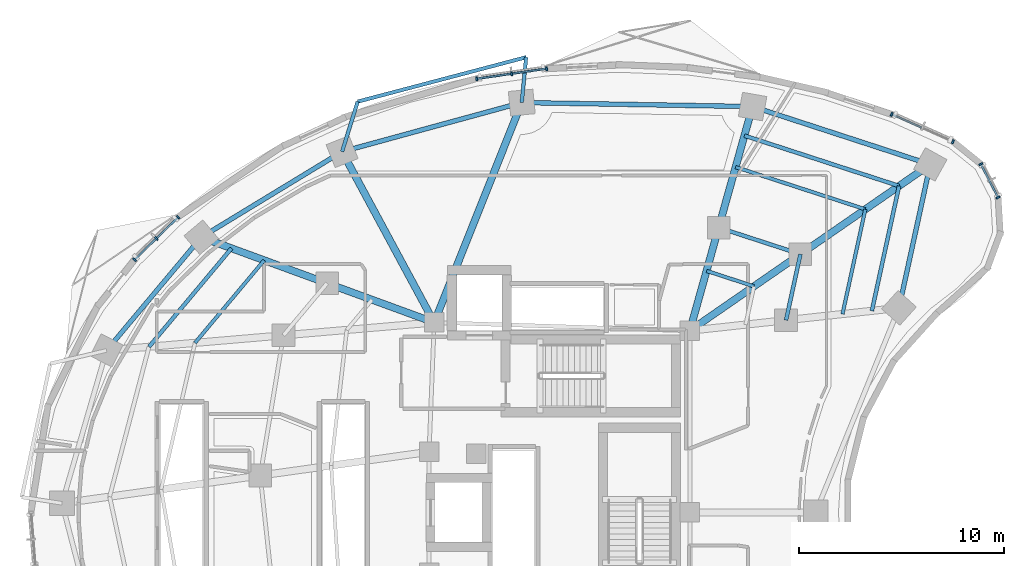
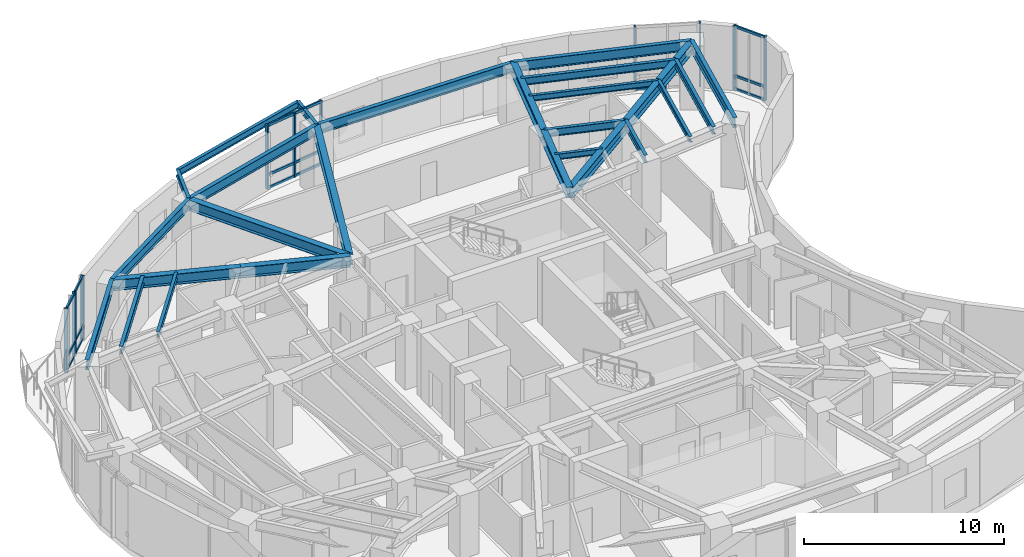
# One storey, part 5 of 15: 26 beams, 26 members, 4 elements without a shape of their own.
"""IFC4 building model written with IfcOpenShell, lengths in metres."""

import ifcopenshell
import ifcopenshell.guid

model = None  # the IFC model being written
_history = None  # IfcOwnerHistory: only IFC2X3 demands one
_inside = {}  # id of a spatial element -> (the spatial element, [elements in it])
_under = {}  # id of a project, library or spatial element -> (it, [spatial elements below it])
_declared = {}  # id of a project -> (the project, [libraries it declares])
_typed = {}  # id of a type object -> (the type object, [elements of that type])
_made_of = {}  # id of a material, layer set ... -> (it, [elements and type objects made of it])


def new_model(schema):
    """Start an empty IFC model of exactly this schema.

    Asked for "IFC4X3", IfcOpenShell would pick the latest addendum, in which some entities
    have other attributes; the version numbers below select the first issue.
    IFC2X3 requires an IfcOwnerHistory on every rooted entity: one is made here for all.
    """
    global model, _history
    if schema == "IFC4X3":
        model = ifcopenshell.file(schema_version=(4, 3, 0, 0))
    else:
        model = ifcopenshell.file(schema=schema)
    _inside.clear()
    _under.clear()
    _declared.clear()
    _typed.clear()
    _made_of.clear()
    _history = None
    if model.schema == "IFC2X3":
        org = make("IfcOrganization", Name="unknown")
        user = make(
            "IfcPersonAndOrganization",
            ThePerson=make("IfcPerson", FamilyName="unknown"),
            TheOrganization=org,
        )
        app = make(
            "IfcApplication",
            ApplicationDeveloper=org,
            Version="unknown",
            ApplicationFullName="unknown",
            ApplicationIdentifier="unknown",
        )
        _history = make(
            "IfcOwnerHistory",
            OwningUser=user,
            OwningApplication=app,
            ChangeAction="ADDED",
            CreationDate=0,
        )
    return model


def make(cls, **values):
    """One entity of the class cls with the attributes given. An attribute that is None is left unset."""
    return model.create_entity(
        cls, **{name: value for name, value in values.items() if value is not None}
    )


def rooted(cls, **values):
    """An entity with a GlobalId (a new one), such as an element, a storey or a relation."""
    return make(cls, GlobalId=ifcopenshell.guid.new(), OwnerHistory=_history, **values)


def si_unit(unit_type, name, prefix=None):
    """IfcSIUnit, for example si_unit("LENGTHUNIT", "METRE", prefix="MILLI")."""
    return make("IfcSIUnit", UnitType=unit_type, Prefix=prefix, Name=name)


def assignment(units):
    """IfcUnitAssignment: the units of a project."""
    return None if units is None else make("IfcUnitAssignment", Units=units)


def point(xyz):
    """IfcCartesianPoint."""
    return None if xyz is None else make("IfcCartesianPoint", Coordinates=xyz)


def direction(xyz):
    """IfcDirection."""
    return None if xyz is None else make("IfcDirection", DirectionRatios=xyz)


def frame(location, z_axis=None, x_axis=None):
    """IfcAxis2Placement3D, a coordinate frame: its origin and axes. An axis left out is left unset."""
    return make(
        "IfcAxis2Placement3D",
        Location=point(location),
        Axis=direction(z_axis),
        RefDirection=direction(x_axis),
    )


def frame_2d(location, x_axis=None):
    """IfcAxis2Placement2D, a coordinate frame in the plane: its origin and x axis."""
    return make(
        "IfcAxis2Placement2D", Location=point(location), RefDirection=direction(x_axis)
    )


def origin():
    """The frame at (0, 0, 0) with its axes left unset."""
    return frame((0.0, 0.0, 0.0))


def origin_2d():
    """The frame at (0, 0) in the plane with its x axis left unset."""
    return frame_2d((0.0, 0.0))


def place(relative_to, where):
    """IfcLocalPlacement: puts the frame where relative to a parent placement (None: the world)."""
    return make(
        "IfcLocalPlacement", PlacementRelTo=relative_to, RelativePlacement=where
    )


def context(
    kind, dimensions, precision=None, world=None, true_north=None, identifier=None
):
    """IfcGeometricRepresentationContext, for example the 3D "Model" context."""
    return make(
        "IfcGeometricRepresentationContext",
        ContextIdentifier=identifier,
        ContextType=kind,
        CoordinateSpaceDimension=dimensions,
        Precision=precision,
        WorldCoordinateSystem=world,
        TrueNorth=true_north,
    )


def subcontext(parent, identifier, kind, view, scale=None):
    """IfcGeometricRepresentationSubContext, for example "Body" below "Model"."""
    return make(
        "IfcGeometricRepresentationSubContext",
        ContextIdentifier=identifier,
        ContextType=kind,
        ParentContext=parent,
        TargetScale=scale,
        TargetView=view,
    )


def project(units=None, contexts=None):
    """IfcProject with its units and contexts."""
    return rooted(
        "IfcProject",
        Name="project",
        RepresentationContexts=contexts,
        UnitsInContext=assignment(units),
    )


def spatial(cls, under=None, at=None, **own):
    """A site, building, storey or space (cls), placed at a placement, below another one or the project."""
    s = rooted(cls, ObjectPlacement=at, **own)
    if under is not None:
        _under.setdefault(under.id(), (under, []))[1].append(s)
    return s


def profile(cls, at=None, kind="AREA", **sizes):
    """A parametric profile (cls). Its sizes go by their IFC names, for example OverallWidth=200.0."""
    return make(cls, ProfileType=kind, Position=at, **sizes)


def rectangle(**sizes):
    """IfcRectangleProfileDef."""
    return profile("IfcRectangleProfileDef", **sizes)


def i_section(**sizes):
    """IfcIShapeProfileDef."""
    return profile("IfcIShapeProfileDef", **sizes)


def extrude(swept, where, along, depth):
    """IfcExtrudedAreaSolid: the profile swept, set in the frame where, extruded along a direction by depth."""
    return make(
        "IfcExtrudedAreaSolid",
        SweptArea=swept,
        Position=where,
        ExtrudedDirection=direction(along),
        Depth=depth,
    )


def shape(context_of_items, identifier, shape_type, items):
    """IfcShapeRepresentation: the items that make up one representation, for example the "Body"."""
    return make(
        "IfcShapeRepresentation",
        ContextOfItems=context_of_items,
        RepresentationIdentifier=identifier,
        RepresentationType=shape_type,
        Items=items,
    )


def material(Name=None, Category=None):
    """IfcMaterial."""
    return make("IfcMaterial", Name=Name, Category=Category)


def layer(
    of_material, thickness, ventilated=None, Name=None, Category=None, Priority=None
):
    """IfcMaterialLayer: one layer of a wall or slab, of a material (None: an air gap)."""
    return make(
        "IfcMaterialLayer",
        Material=of_material,
        LayerThickness=thickness,
        IsVentilated=ventilated,
        Name=Name,
        Category=Category,
        Priority=Priority,
    )


def layer_set(layers, Name=None):
    """IfcMaterialLayerSet."""
    return make("IfcMaterialLayerSet", MaterialLayers=layers, LayerSetName=Name)


def material_profile(
    of_material, cross_section, Name=None, Category=None, Priority=None
):
    """IfcMaterialProfile: a cross section and its material."""
    return make(
        "IfcMaterialProfile",
        Name=Name,
        Material=of_material,
        Profile=cross_section,
        Priority=Priority,
        Category=Category,
    )


def profile_set(profiles, Name=None, composite=None):
    """IfcMaterialProfileSet."""
    return make(
        "IfcMaterialProfileSet",
        Name=Name,
        MaterialProfiles=profiles,
        CompositeProfile=composite,
    )


def made_of(thing, what):
    """Note that an element or type object is made of a material, layer set ...; save() writes the relation."""
    if what is not None:
        _made_of.setdefault(what.id(), (what, []))[1].append(thing)
    return thing


def type_object(cls, material=None, **own):
    """A type object (cls), such as IfcWallType, which elements share."""
    return made_of(rooted(cls, **own), material)


def element(
    cls,
    number,
    at=None,
    inside=None,
    cuts=None,
    type_object=None,
    material=None,
    context=None,
    identifier="Body",
    shape_type=None,
    held_by="IfcProductDefinitionShape",
    body=None,
    shapes=None,
    **own,
):
    """One element of the class cls, such as IfcWall. Its Tag is "e" and its number.

    at: its placement. inside: the storey or other place that contains it. cuts: it is an
    opening in that element (IfcRelVoidsElement). A single representation is given by context,
    identifier, shape_type and body (its items); several are given by shapes. held_by: the class
    of the entity that holds the representations. save() writes the other relations.
    """
    e = rooted(cls, Tag="e%d" % number, ObjectPlacement=at, **own)
    if body is not None:
        shapes = [shape(context, identifier, shape_type, body)]
    if shapes is not None:
        e.Representation = make(held_by, Representations=shapes)
    if inside is not None:
        _inside.setdefault(inside.id(), (inside, []))[1].append(e)
    if cuts is not None:
        rooted(
            "IfcRelVoidsElement", RelatingBuildingElement=cuts, RelatedOpeningElement=e
        )
    if type_object is not None:
        _typed.setdefault(type_object.id(), (type_object, []))[1].append(e)
    return made_of(e, material)


def aggregate(whole, parts):
    """IfcRelAggregates: a whole, such as a stair, and the parts it consists of."""
    return rooted("IfcRelAggregates", RelatingObject=whole, RelatedObjects=parts)


def save(model, path):
    """Write the relations noted so far, then the file.

    IfcRelAggregates (storeys below a building ...), IfcRelContainedInSpatialStructure (elements
    in a storey), IfcRelDefinesByType, IfcRelAssociatesMaterial and IfcRelDeclares: one each for
    every whole, place, type object, material and project.
    """
    for whole, parts in _under.values():
        aggregate(whole, parts)
    for where, things in _inside.values():
        rooted(
            "IfcRelContainedInSpatialStructure",
            RelatedElements=things,
            RelatingStructure=where,
        )
    for kind, things in _typed.values():
        rooted("IfcRelDefinesByType", RelatedObjects=things, RelatingType=kind)
    for what, things in _made_of.values():
        rooted("IfcRelAssociatesMaterial", RelatedObjects=things, RelatingMaterial=what)
    for by, libraries in _declared.values():
        rooted("IfcRelDeclares", RelatingContext=by, RelatedDefinitions=libraries)
    model.write(path)


model = new_model("IFC4")

# Units and contexts
model_context = context("Model", 3, precision=1e-05, world=origin(), true_north=direction((0.0, 1.0)))
body_context = subcontext(model_context, "Body", "Model", "MODEL_VIEW")
ifc_project = project(units=[si_unit("LENGTHUNIT", "METRE"), si_unit("AREAUNIT", "SQUARE_METRE"), si_unit("VOLUMEUNIT", "CUBIC_METRE"), si_unit("PLANEANGLEUNIT", "RADIAN"), si_unit("MASSUNIT", "GRAM", prefix="KILO")], contexts=[model_context])

# Site, building, storey
site_placement = place(None, origin())
site = spatial("IfcSite", under=ifc_project, at=site_placement, CompositionType="ELEMENT")
building_placement = place(site_placement, origin())
building = spatial("IfcBuilding", under=site, at=building_placement, Name="Korentha Bioscience Tower", CompositionType="ELEMENT")
storey_placement = place(building_placement, frame((0.0, 0.0, 115.199951171875)))
storey = spatial("IfcBuildingStorey", under=building, at=storey_placement, Name="L26", CompositionType="ELEMENT", Elevation=115.199951171875)

# Beams
ifc_material_1 = material(Name="Steel S355", Category="steel")
ifc_material_profile_1 = material_profile(ifc_material_1, i_section(OverallWidth=0.18994140625, OverallDepth=0.45703125, WebThickness=0.009033203125, FlangeThickness=0.014404296875, at=origin_2d()), Name="Steel S355")
ifc_profile_set_1 = profile_set([ifc_material_profile_1], Name="Steel S355 (MB-460)")
beam_type_1 = type_object("IfcBeamType", Name="Mid-Ring Tie Girder W460x74", PredefinedType="BEAM", material=ifc_profile_set_1)
beam_1_placement = place(storey_placement, frame((42.93603515625, 39.57470703125, 3.671630859375), z_axis=(-0.95087582253, 0.309572560361, 0.0), x_axis=(-0.309572560361, -0.95087582253, 0.0)))
element("IfcBeam", 1, at=beam_1_placement, inside=storey, type_object=beam_type_1, Name="L26 Mid-Ring Tie Girder 01", PredefinedType="BEAM", context=body_context, shape_type="SweptSolid", body=[
    extrude(i_section(OverallWidth=0.18994140625, OverallDepth=0.45703125, WebThickness=0.009033203125, FlangeThickness=0.014404296875, at=origin_2d()), origin(), (0.0, 0.0, 1.0), 4.186767578125),
])
beam_2_placement = place(storey_placement, frame((42.235595703125, 36.360595703125, 3.671630859375), z_axis=(0.212928773299, 0.977067724112, 0.0), x_axis=(-0.977067724112, 0.212928773299, 0.0)))
element("IfcBeam", 2, at=beam_2_placement, inside=storey, type_object=beam_type_1, Name="L26 Mid-Ring Tie Girder 16", PredefinedType="BEAM", context=body_context, shape_type="SweptSolid", body=[
    extrude(i_section(OverallWidth=0.18994140625, OverallDepth=0.45703125, WebThickness=0.009033203125, FlangeThickness=0.014404296875, at=origin_2d()), origin(), (0.0, 0.0, 1.0), 3.28955078125),
])

# Curtain wall, members
ifc_material_2 = material(Name="Thermally Broken Aluminium Frame", Category="aluminium")
ifc_layer = layer(ifc_material_2, 0.219970703125, Name="Thermally Broken Aluminium Frame")
ifc_layer_set = layer_set([ifc_layer], Name="Thermally Broken Aluminium Frame (CW-T2)")
curtain_wall_type = type_object("IfcCurtainWallType", Name="Solar-Screened Lab Unitised Curtain Wall CW-T2", PredefinedType="USERDEFINED", material=ifc_layer_set)
curtain_wall_1_placement = place(storey_placement, origin())
curtain_wall_1 = element("IfcCurtainWall", 3, at=curtain_wall_1_placement, inside=storey, type_object=curtain_wall_type, Name="L26 Curtain Wall 01", ObjectType="UNITISED", PredefinedType="USERDEFINED")
ifc_material_3 = material(Name="Anodised Aluminium 6063-T6", Category="aluminium")
ifc_material_profile_2 = material_profile(ifc_material_3, rectangle(XDim=0.090087890625, YDim=0.199951171875, at=origin_2d()), Name="Anodised Aluminium 6063-T6")
ifc_profile_set_2 = profile_set([ifc_material_profile_2], Name="Anodised Aluminium 6063-T6 (CW-MUL)")
member_type_1 = type_object("IfcMemberType", Name="Mullion RECT 90x200", PredefinedType="MULLION", material=ifc_profile_set_2)
member_1_placement = place(storey_placement, frame((50.364013671875, 45.0517578125, 0.0), z_axis=(0.0, 0.0, 1.0), x_axis=(-0.912686563127, 0.408660295952, 0.0)))
member_1 = element("IfcMember", 4, at=member_1_placement, type_object=member_type_1, Name="CW-L26-01 Mullion 1", PredefinedType="MULLION", context=body_context, shape_type="SweptSolid", body=[
    extrude(rectangle(XDim=0.090087890625, YDim=0.199951171875, at=origin_2d()), origin(), (0.0, 0.0, 1.0), 3.900146484375),
])
member_2_placement = place(storey_placement, frame((47.37890625, 46.388427734375, 0.0), z_axis=(0.0, 0.0, 1.0), x_axis=(-0.912686563127, 0.408660295952, 0.0)))
member_2 = element("IfcMember", 5, at=member_2_placement, type_object=member_type_1, Name="CW-L26-01 Mullion 3", PredefinedType="MULLION", context=body_context, shape_type="SweptSolid", body=[
    extrude(rectangle(XDim=0.090087890625, YDim=0.199951171875, at=origin_2d()), origin(), (0.0, 0.0, 1.0), 3.900146484375),
])

curtain_wall_2_placement = place(storey_placement, origin())
curtain_wall_2 = element("IfcCurtainWall", 6, at=curtain_wall_2_placement, inside=storey, type_object=curtain_wall_type, Name="L26 Curtain Wall 07", ObjectType="UNITISED", PredefinedType="USERDEFINED")
member_3_placement = place(storey_placement, frame((30.576416015625, 48.609375, 0.0), z_axis=(0.0, 0.0, 1.0), x_axis=(-0.989738282326, -0.14289203091, 0.0)))
member_3 = element("IfcMember", 7, at=member_3_placement, type_object=member_type_1, Name="CW-L26-07 Mullion 1", PredefinedType="MULLION", context=body_context, shape_type="SweptSolid", body=[
    extrude(rectangle(XDim=0.090087890625, YDim=0.199951171875, at=origin_2d()), origin(), (0.0, 0.0, 1.0), 3.900146484375),
])
member_4_placement = place(storey_placement, frame((28.873291015625, 48.363525390625, 0.0), z_axis=(0.0, 0.0, 1.0), x_axis=(-0.989738282326, -0.14289203091, 0.0)))
member_4 = element("IfcMember", 8, at=member_4_placement, type_object=member_type_1, Name="CW-L26-07 Mullion 2", PredefinedType="MULLION", context=body_context, shape_type="SweptSolid", body=[
    extrude(rectangle(XDim=0.090087890625, YDim=0.199951171875, at=origin_2d()), origin(), (0.0, 0.0, 1.0), 3.900146484375),
])
member_5_placement = place(storey_placement, frame((27.170166015625, 48.11767578125, 0.0), z_axis=(0.0, 0.0, 1.0), x_axis=(-0.989738282326, -0.14289203091, 0.0)))
member_5 = element("IfcMember", 9, at=member_5_placement, type_object=member_type_1, Name="CW-L26-07 Mullion 3", PredefinedType="MULLION", context=body_context, shape_type="SweptSolid", body=[
    extrude(rectangle(XDim=0.090087890625, YDim=0.199951171875, at=origin_2d()), origin(), (0.0, 0.0, 1.0), 3.900146484375),
])

curtain_wall_3_placement = place(storey_placement, origin())
curtain_wall_3 = element("IfcCurtainWall", 10, at=curtain_wall_3_placement, inside=storey, type_object=curtain_wall_type, Name="L26 Curtain Wall 13", ObjectType="UNITISED", PredefinedType="USERDEFINED")
member_6_placement = place(storey_placement, frame((12.631103515625, 41.377197265625, 0.0), z_axis=(0.0, 0.0, 1.0), x_axis=(-0.716095631804, -0.698002182025, 0.0)))
member_6 = element("IfcMember", 11, at=member_6_placement, type_object=member_type_1, Name="CW-L26-13 Mullion 1", PredefinedType="MULLION", context=body_context, shape_type="SweptSolid", body=[
    extrude(rectangle(XDim=0.090087890625, YDim=0.199951171875, at=origin_2d()), origin(), (0.0, 0.0, 1.0), 3.900146484375),
])
member_7_placement = place(storey_placement, frame((11.56689453125, 40.340087890625, 0.0), z_axis=(0.0, 0.0, 1.0), x_axis=(-0.716095631804, -0.698002182025, 0.0)))
member_7 = element("IfcMember", 12, at=member_7_placement, type_object=member_type_1, Name="CW-L26-13 Mullion 2", PredefinedType="MULLION", context=body_context, shape_type="SweptSolid", body=[
    extrude(rectangle(XDim=0.090087890625, YDim=0.199951171875, at=origin_2d()), origin(), (0.0, 0.0, 1.0), 3.900146484375),
])
member_8_placement = place(storey_placement, frame((10.5029296875, 39.302734375, 0.0), z_axis=(0.0, 0.0, 1.0), x_axis=(-0.716095631804, -0.698002182025, 0.0)))
member_8 = element("IfcMember", 13, at=member_8_placement, type_object=member_type_1, Name="CW-L26-13 Mullion 3", PredefinedType="MULLION", context=body_context, shape_type="SweptSolid", body=[
    extrude(rectangle(XDim=0.090087890625, YDim=0.199951171875, at=origin_2d()), origin(), (0.0, 0.0, 1.0), 3.900146484375),
])

curtain_wall_4_placement = place(storey_placement, origin())
curtain_wall_4 = element("IfcCurtainWall", 14, at=curtain_wall_4_placement, inside=storey, type_object=curtain_wall_type, Name="L26 Curtain Wall 61", ObjectType="UNITISED", PredefinedType="USERDEFINED")
member_9_placement = place(storey_placement, frame((52.55859375, 42.337158203125, 0.0), z_axis=(0.0, 0.0, 1.0), x_axis=(-0.457613117169, 0.889151412862, 0.0)))
member_9 = element("IfcMember", 15, at=member_9_placement, type_object=member_type_1, Name="CW-L26-61 Mullion 1", PredefinedType="MULLION", context=body_context, shape_type="SweptSolid", body=[
    extrude(rectangle(XDim=0.090087890625, YDim=0.199951171875, at=origin_2d()), origin(), (0.0, 0.0, 1.0), 3.900146484375),
])
member_10_placement = place(storey_placement, frame((51.722412109375, 43.962158203125, 0.0), z_axis=(0.0, 0.0, 1.0), x_axis=(-0.457613117169, 0.889151412862, 0.0)))
member_10 = element("IfcMember", 16, at=member_10_placement, type_object=member_type_1, Name="CW-L26-61 Mullion 2", PredefinedType="MULLION", context=body_context, shape_type="SweptSolid", body=[
    extrude(rectangle(XDim=0.090087890625, YDim=0.199951171875, at=origin_2d()), origin(), (0.0, 0.0, 1.0), 3.900146484375),
])

# Beams
ifc_material_profile_3 = material_profile(ifc_material_1, i_section(OverallWidth=0.22802734375, OverallDepth=0.60791015625, WebThickness=0.01123046875, FlangeThickness=0.017333984375, at=origin_2d()), Name="Steel S355")
ifc_profile_set_3 = profile_set([ifc_material_profile_3], Name="Steel S355 (SB-610)")
beam_type_2 = type_object("IfcBeamType", Name="Perimeter Ring Spandrel Girder W610x113", PredefinedType="SPANDREL", material=ifc_profile_set_3)
beam_3_placement = place(storey_placement, frame((49.2587890625, 43.947021484375, 3.595947265625), z_axis=(-0.950867758759, 0.309597327755, 0.0), x_axis=(-0.309597327755, -0.950867758759, 0.0)))
element("IfcBeam", 17, at=beam_3_placement, inside=storey, type_object=beam_type_2, Name="L26 Perimeter Spandrel Girder 01", PredefinedType="SPANDREL", context=body_context, shape_type="SweptSolid", body=[
    extrude(i_section(OverallWidth=0.22802734375, OverallDepth=0.60791015625, WebThickness=0.01123046875, FlangeThickness=0.017333984375, at=origin_2d()), origin(), (0.0, 0.0, 1.0), 9.101806640625),
])
beam_4_placement = place(storey_placement, frame((40.604248046875, 46.764892578125, 3.595947265625), z_axis=(-0.999850566826, 0.017287105523, 0.0), x_axis=(-0.017287105523, -0.999850566826, 0.0)))
element("IfcBeam", 18, at=beam_4_placement, inside=storey, type_object=beam_type_2, Name="L26 Perimeter Spandrel Girder 02", PredefinedType="SPANDREL", context=body_context, shape_type="SweptSolid", body=[
    extrude(i_section(OverallWidth=0.22802734375, OverallDepth=0.60791015625, WebThickness=0.01123046875, FlangeThickness=0.017333984375, at=origin_2d()), origin(), (0.0, 0.0, 1.0), 11.24169921875),
])
beam_5_placement = place(storey_placement, frame((29.3642578125, 46.959228515625, 3.595947265625), z_axis=(-0.964659386444, -0.263500034431, 0.0), x_axis=(0.263500034431, -0.964659386444, 0.0)))
element("IfcBeam", 19, at=beam_5_placement, inside=storey, type_object=beam_type_2, Name="L26 Perimeter Spandrel Girder 03", PredefinedType="SPANDREL", context=body_context, shape_type="SweptSolid", body=[
    extrude(i_section(OverallWidth=0.22802734375, OverallDepth=0.60791015625, WebThickness=0.01123046875, FlangeThickness=0.017333984375, at=origin_2d()), origin(), (0.0, 0.0, 1.0), 9.06982421875),
])
beam_6_placement = place(storey_placement, frame((20.614990234375, 44.5693359375, 3.595947265625), z_axis=(-0.854461040474, -0.51951547649, 0.0), x_axis=(0.51951547649, -0.854461040474, 0.0)))
element("IfcBeam", 20, at=beam_6_placement, inside=storey, type_object=beam_type_2, Name="L26 Perimeter Spandrel Girder 04", PredefinedType="SPANDREL", context=body_context, shape_type="SweptSolid", body=[
    extrude(i_section(OverallWidth=0.22802734375, OverallDepth=0.60791015625, WebThickness=0.01123046875, FlangeThickness=0.017333984375, at=origin_2d()), origin(), (0.0, 0.0, 1.0), 8.025146484375),
])
beam_7_placement = place(storey_placement, frame((13.7578125, 40.400146484375, 3.595947265625), z_axis=(-0.642126556076, -0.76659864726, 0.0), x_axis=(0.76659864726, -0.642126556076, 0.0)))
element("IfcBeam", 21, at=beam_7_placement, inside=storey, type_object=beam_type_2, Name="L26 Perimeter Spandrel Girder 05", PredefinedType="SPANDREL", context=body_context, shape_type="SweptSolid", body=[
    extrude(i_section(OverallWidth=0.22802734375, OverallDepth=0.60791015625, WebThickness=0.01123046875, FlangeThickness=0.017333984375, at=origin_2d()), origin(), (0.0, 0.0, 1.0), 7.1884765625),
])
beam_8_placement = place(storey_placement, frame((47.736083984375, 36.959716796875, 3.595947265625), z_axis=(0.212927102256, 0.977068088275, 0.0), x_axis=(-0.977068088275, 0.212927102256, 0.0)))
element("IfcBeam", 22, at=beam_8_placement, inside=storey, type_object=beam_type_2, Name="L26 Perimeter Spandrel Girder 16", PredefinedType="SPANDREL", context=body_context, shape_type="SweptSolid", body=[
    extrude(i_section(OverallWidth=0.22802734375, OverallDepth=0.60791015625, WebThickness=0.01123046875, FlangeThickness=0.017333984375, at=origin_2d()), origin(), (0.0, 0.0, 1.0), 7.1513671875),
])
ifc_material_profile_4 = material_profile(ifc_material_1, i_section(OverallWidth=0.18994140625, OverallDepth=0.45703125, WebThickness=0.009033203125, FlangeThickness=0.014404296875, at=origin_2d()), Name="Steel S355")
ifc_profile_set_4 = profile_set([ifc_material_profile_4], Name="Steel S355 (RB-460)")
beam_type_3 = type_object("IfcBeamType", Name="Radial Laboratory Beam W460x74", PredefinedType="BEAM", material=ifc_profile_set_4)
beam_9_placement = place(storey_placement, frame((47.7412109375, 42.8974609375, 3.671630859375), z_axis=(-0.950866789802, 0.3096003037, 0.0), x_axis=(-0.3096003037, -0.950866789802, 0.0)))
element("IfcBeam", 23, at=beam_9_placement, inside=storey, type_object=beam_type_3, Name="L26 Secondary Floor Beam JSTO-01", PredefinedType="BEAM", context=body_context, shape_type="SweptSolid", body=[
    extrude(i_section(OverallWidth=0.18994140625, OverallDepth=0.45703125, WebThickness=0.009033203125, FlangeThickness=0.014404296875, at=origin_2d()), origin(), (0.0, 0.0, 1.0), 7.921875),
])
beam_10_placement = place(storey_placement, frame((15.227783203125, 39.8623046875, 3.671630859375), z_axis=(-0.642128156066, -0.766597307057, 0.0), x_axis=(0.766597307057, -0.642128156066, 0.0)))
element("IfcBeam", 24, at=beam_10_placement, inside=storey, type_object=beam_type_3, Name="L26 Secondary Floor Beam JSTO-05", PredefinedType="BEAM", context=body_context, shape_type="SweptSolid", body=[
    extrude(i_section(OverallWidth=0.18994140625, OverallDepth=0.45703125, WebThickness=0.009033203125, FlangeThickness=0.014404296875, at=origin_2d()), origin(), (0.0, 0.0, 1.0), 6.257080078125),
])
beam_11_placement = place(storey_placement, frame((46.416015625, 36.81591796875, 3.671630859375), z_axis=(0.21290837934, 0.977072168269, 0.0), x_axis=(-0.977072168269, 0.21290837934, 0.0)))
element("IfcBeam", 25, at=beam_11_placement, inside=storey, type_object=beam_type_3, Name="L26 Secondary Floor Beam JSTO-16", PredefinedType="BEAM", context=body_context, shape_type="SweptSolid", body=[
    extrude(i_section(OverallWidth=0.18994140625, OverallDepth=0.45703125, WebThickness=0.009033203125, FlangeThickness=0.014404296875, at=origin_2d()), origin(), (0.0, 0.0, 1.0), 6.224365234375),
])
ifc_material_profile_5 = material_profile(ifc_material_1, i_section(OverallWidth=0.35009765625, OverallDepth=0.64990234375, WebThickness=0.01611328125, FlangeThickness=0.02490234375, at=origin_2d()), Name="Steel S355")
ifc_profile_set_5 = profile_set([ifc_material_profile_5], Name="Steel S355 (RB-650)")
beam_type_4 = type_object("IfcBeamType", Name="Radial Laboratory Girder CVS 650x208", PredefinedType="BEAM", material=ifc_profile_set_5)
beam_12_placement = place(storey_placement, frame((37.550048828125, 35.85009765625, 3.574951171875), z_axis=(0.822488699387, 0.568781451333, 0.0), x_axis=(-0.568781451333, 0.822488699387, 0.0)))
element("IfcBeam", 26, at=beam_12_placement, inside=storey, type_object=beam_type_4, Name="L26 Inner Radial Girder 01", PredefinedType="BEAM", context=body_context, shape_type="SweptSolid", body=[
    extrude(i_section(OverallWidth=0.35009765625, OverallDepth=0.64990234375, WebThickness=0.01611328125, FlangeThickness=0.02490234375, at=origin_2d()), origin(), (0.0, 0.0, 1.0), 6.54833984375),
])
beam_13_placement = place(storey_placement, frame((42.93603515625, 39.57470703125, 3.574951171875), z_axis=(0.822495056204, 0.568772258922, 0.0), x_axis=(-0.568772258922, 0.822495056204, 0.0)))
element("IfcBeam", 27, at=beam_13_placement, inside=storey, type_object=beam_type_4, Name="L26 Outer Radial Girder 01", PredefinedType="BEAM", context=body_context, shape_type="SweptSolid", body=[
    extrude(i_section(OverallWidth=0.35009765625, OverallDepth=0.64990234375, WebThickness=0.01611328125, FlangeThickness=0.02490234375, at=origin_2d()), origin(), (0.0, 0.0, 1.0), 7.687255859375),
])
beam_14_placement = place(storey_placement, frame((37.550048828125, 35.85009765625, 3.574951171875), z_axis=(0.269447542125, 0.96301506844, 0.0), x_axis=(-0.96301506844, 0.269447542125, 0.0)))
element("IfcBeam", 28, at=beam_14_placement, inside=storey, type_object=beam_type_4, Name="L26 Inner Radial Girder 02", PredefinedType="BEAM", context=body_context, shape_type="SweptSolid", body=[
    extrude(i_section(OverallWidth=0.35009765625, OverallDepth=0.64990234375, WebThickness=0.01611328125, FlangeThickness=0.02490234375, at=origin_2d()), origin(), (0.0, 0.0, 1.0), 5.213623046875),
])
beam_15_placement = place(storey_placement, frame((38.954833984375, 40.870849609375, 3.574951171875), z_axis=(0.269490843458, 0.963002951861, 0.0), x_axis=(-0.963002951861, 0.269490843458, 0.0)))
element("IfcBeam", 29, at=beam_15_placement, inside=storey, type_object=beam_type_4, Name="L26 Outer Radial Girder 02", PredefinedType="BEAM", context=body_context, shape_type="SweptSolid", body=[
    extrude(i_section(OverallWidth=0.35009765625, OverallDepth=0.64990234375, WebThickness=0.01611328125, FlangeThickness=0.02490234375, at=origin_2d()), origin(), (0.0, 0.0, 1.0), 6.120361328125),
])
beam_16_placement = place(storey_placement, frame((25.10009765625, 36.25, 3.574951171875), z_axis=(0.369929528493, 0.929059817207, 0.0), x_axis=(-0.929059817207, 0.369929528493, 0.0)))
element("IfcBeam", 30, at=beam_16_placement, inside=storey, type_object=beam_type_4, Name="L26 Radial Girder 03", PredefinedType="BEAM", context=body_context, shape_type="SweptSolid", body=[
    extrude(i_section(OverallWidth=0.35009765625, OverallDepth=0.64990234375, WebThickness=0.01611328125, FlangeThickness=0.02490234375, at=origin_2d()), origin(), (0.0, 0.0, 1.0), 11.52685546875),
])
beam_17_placement = place(storey_placement, frame((25.10009765625, 36.25, 3.574951171875), z_axis=(-0.474548018732, 0.880229616587, 0.0), x_axis=(-0.880229616587, -0.474548018732, 0.0)))
element("IfcBeam", 31, at=beam_17_placement, inside=storey, type_object=beam_type_4, Name="L26 Radial Girder 04", PredefinedType="BEAM", context=body_context, shape_type="SweptSolid", body=[
    extrude(i_section(OverallWidth=0.35009765625, OverallDepth=0.64990234375, WebThickness=0.01611328125, FlangeThickness=0.02490234375, at=origin_2d()), origin(), (0.0, 0.0, 1.0), 9.451416015625),
])
beam_18_placement = place(storey_placement, frame((25.10009765625, 36.25, 3.574951171875), z_axis=(-0.939118010396, 0.343594765022, 0.0), x_axis=(-0.343594765022, -0.939118010396, 0.0)))
element("IfcBeam", 32, at=beam_18_placement, inside=storey, type_object=beam_type_4, Name="L26 Inner Radial Girder 05", PredefinedType="BEAM", context=body_context, shape_type="SweptSolid", body=[
    extrude(i_section(OverallWidth=0.35009765625, OverallDepth=0.64990234375, WebThickness=0.01611328125, FlangeThickness=0.02490234375, at=origin_2d()), origin(), (0.0, 0.0, 1.0), 5.5556640625),
])
beam_19_placement = place(storey_placement, frame((19.882568359375, 38.158935546875, 3.574951171875), z_axis=(-0.939100755225, 0.343641923425, 0.0), x_axis=(-0.343641923425, -0.939100755225, 0.0)))
element("IfcBeam", 33, at=beam_19_placement, inside=storey, type_object=beam_type_4, Name="L26 Outer Radial Girder 05", PredefinedType="BEAM", context=body_context, shape_type="SweptSolid", body=[
    extrude(i_section(OverallWidth=0.35009765625, OverallDepth=0.64990234375, WebThickness=0.01611328125, FlangeThickness=0.02490234375, at=origin_2d()), origin(), (0.0, 0.0, 1.0), 6.52197265625),
])
ifc_material_profile_6 = material_profile(ifc_material_1, i_section(OverallWidth=0.1708984375, OverallDepth=0.35498046875, WebThickness=0.007080078125, FlangeThickness=0.01171875, at=origin_2d()), Name="Steel S355")
ifc_profile_set_6 = profile_set([ifc_material_profile_6], Name="Steel S355 (JB-360)")
beam_type_5 = type_object("IfcBeamType", Name="Secondary Laboratory Joist W360x51", PredefinedType="JOIST", material=ifc_profile_set_6)
beam_20_placement = place(storey_placement, frame((46.097412109375, 41.7607421875, 3.72265625), z_axis=(-0.950864890997, 0.309606135387, 0.0), x_axis=(-0.309606135387, -0.950864890997, 0.0)))
element("IfcBeam", 34, at=beam_20_placement, inside=storey, type_object=beam_type_5, Name="L26 Secondary Floor Beam JST-01", PredefinedType="JOIST", context=body_context, shape_type="SweptSolid", body=[
    extrude(i_section(OverallWidth=0.1708984375, OverallDepth=0.35498046875, WebThickness=0.007080078125, FlangeThickness=0.01171875, at=origin_2d()), origin(), (0.0, 0.0, 1.0), 6.644287109375),
])
beam_21_placement = place(storey_placement, frame((40.673828125, 38.01025390625, 3.72265625), z_axis=(-0.950852158547, 0.30964523666, 0.0), x_axis=(-0.30964523666, -0.950852158547, 0.0)))
element("IfcBeam", 35, at=beam_21_placement, inside=storey, type_object=beam_type_5, Name="L26 Inner Bay Joist 01", PredefinedType="JOIST", context=body_context, shape_type="SweptSolid", body=[
    extrude(i_section(OverallWidth=0.1708984375, OverallDepth=0.35498046875, WebThickness=0.007080078125, FlangeThickness=0.01171875, at=origin_2d()), origin(), (0.0, 0.0, 1.0), 2.428466796875),
])
beam_22_placement = place(storey_placement, frame((16.8203125, 39.279541015625, 3.72265625), z_axis=(-0.642140812018, -0.76658670582, 0.0), x_axis=(0.76658670582, -0.642140812018, 0.0)))
element("IfcBeam", 36, at=beam_22_placement, inside=storey, type_object=beam_type_5, Name="L26 Secondary Floor Beam JST-05", PredefinedType="JOIST", context=body_context, shape_type="SweptSolid", body=[
    extrude(i_section(OverallWidth=0.1708984375, OverallDepth=0.35498046875, WebThickness=0.007080078125, FlangeThickness=0.01171875, at=origin_2d()), origin(), (0.0, 0.0, 1.0), 5.247802734375),
])
beam_23_placement = place(storey_placement, frame((44.98583984375, 36.66015625, 3.72265625), z_axis=(0.212932493609, 0.977066913351, 0.0), x_axis=(-0.977066913351, 0.212932493609, 0.0)))
element("IfcBeam", 37, at=beam_23_placement, inside=storey, type_object=beam_type_5, Name="L26 Secondary Floor Beam JST-16", PredefinedType="JOIST", context=body_context, shape_type="SweptSolid", body=[
    extrude(i_section(OverallWidth=0.1708984375, OverallDepth=0.35498046875, WebThickness=0.007080078125, FlangeThickness=0.01171875, at=origin_2d()), origin(), (0.0, 0.0, 1.0), 5.22021484375),
])
ifc_material_profile_7 = material_profile(ifc_material_1, i_section(OverallWidth=0.177978515625, OverallDepth=0.406982421875, WebThickness=0.0078125, FlangeThickness=0.0126953125, at=origin_2d()), Name="Steel S355")
ifc_profile_set_7 = profile_set([ifc_material_profile_7], Name="Steel S355 (CB-410)")
beam_type_6 = type_object("IfcBeamType", Name="Sun-Ledge Cantilever Beam W410x60", PredefinedType="BEAM", material=ifc_profile_set_7)
beam_24_placement = place(storey_placement, frame((29.3642578125, 46.959228515625, 3.698486328125), z_axis=(0.096387491069, 0.995343886084, 0.0), x_axis=(-0.995343886084, 0.096387491069, 0.0)))
element("IfcBeam", 38, at=beam_24_placement, inside=storey, type_object=beam_type_6, Name="L26 Balcony Cantilever Bracket A-L27-01", PredefinedType="BEAM", context=body_context, shape_type="SweptSolid", body=[
    extrude(i_section(OverallWidth=0.177978515625, OverallDepth=0.406982421875, WebThickness=0.0078125, FlangeThickness=0.0126953125, at=origin_2d()), origin(), (0.0, 0.0, 1.0), 2.21875),
])
beam_25_placement = place(storey_placement, frame((20.614990234375, 44.5693359375, 3.698486328125), z_axis=(0.296781492489, 0.954945415045, 0.0), x_axis=(-0.954945415045, 0.296781492489, 0.0)))
element("IfcBeam", 39, at=beam_25_placement, inside=storey, type_object=beam_type_6, Name="L26 Balcony Cantilever Bracket B-L27-01", PredefinedType="BEAM", context=body_context, shape_type="SweptSolid", body=[
    extrude(i_section(OverallWidth=0.177978515625, OverallDepth=0.406982421875, WebThickness=0.0078125, FlangeThickness=0.0126953125, at=origin_2d()), origin(), (0.0, 0.0, 1.0), 2.551025390625),
])
beam_26_placement = place(storey_placement, frame((29.578125, 49.167724609375, 3.698486328125), z_axis=(-0.966991382873, -0.254809076464, 0.0), x_axis=(0.254809076464, -0.966991382873, 0.0)))
element("IfcBeam", 40, at=beam_26_placement, inside=storey, type_object=beam_type_6, Name="L26 Balcony Edge Trimmer Beam L27-01", PredefinedType="BEAM", context=body_context, shape_type="SweptSolid", body=[
    extrude(i_section(OverallWidth=0.177978515625, OverallDepth=0.406982421875, WebThickness=0.0078125, FlangeThickness=0.0126953125, at=origin_2d()), origin(), (0.0, 0.0, 1.0), 8.486083984375),
])

# Member
ifc_material_profile_8 = material_profile(ifc_material_3, rectangle(XDim=0.090087890625, YDim=0.159912109375, at=origin_2d()), Name="Anodised Aluminium 6063-T6")
ifc_profile_set_8 = profile_set([ifc_material_profile_8], Name="Anodised Aluminium 6063-T6 (CW-TRN)")
member_type_2 = type_object("IfcMemberType", Name="Transom RECT 90x160", PredefinedType="USERDEFINED", material=ifc_profile_set_8)
member_11_placement = place(storey_placement, frame((48.830322265625, 45.738525390625, 0.045166015625), z_axis=(-0.912667864607, 0.408702053962, 0.0), x_axis=(-0.408702053962, -0.912667864607, 0.0)))
member_11 = element("IfcMember", 41, at=member_11_placement, type_object=member_type_2, Name="CW-L26-01 Bay 2 Transom 1", ObjectType="TRANSOM", PredefinedType="USERDEFINED", context=body_context, shape_type="SweptSolid", body=[
    extrude(rectangle(XDim=0.090087890625, YDim=0.159912109375, at=origin_2d()), origin(), (0.0, 0.0, 1.0), 1.54541015625),
])

aggregate(curtain_wall_1, [member_1, member_2, member_11])

member_12_placement = place(storey_placement, frame((30.53173828125, 48.602783203125, 0.045166015625), z_axis=(-0.989747883164, -0.142825515132, 0.0), x_axis=(0.142825515132, -0.989747883164, 0.0)))
member_12 = element("IfcMember", 42, at=member_12_placement, type_object=member_type_2, Name="CW-L26-07 Bay 1 Transom 1", ObjectType="TRANSOM", PredefinedType="USERDEFINED", context=body_context, shape_type="SweptSolid", body=[
    extrude(rectangle(XDim=0.090087890625, YDim=0.159912109375, at=origin_2d()), origin(), (0.0, 0.0, 1.0), 1.630615234375),
])

member_13_placement = place(storey_placement, frame((30.53173828125, 48.602783203125, 0.85009765625), z_axis=(-0.989747883164, -0.142825515132, 0.0), x_axis=(0.142825515132, -0.989747883164, 0.0)))
member_13 = element("IfcMember", 43, at=member_13_placement, type_object=member_type_2, Name="CW-L26-07 Bay 1 Transom 2", ObjectType="TRANSOM", PredefinedType="USERDEFINED", context=body_context, shape_type="SweptSolid", body=[
    extrude(rectangle(XDim=0.090087890625, YDim=0.159912109375, at=origin_2d()), origin(), (0.0, 0.0, 1.0), 1.630615234375),
])

member_14_placement = place(storey_placement, frame((30.53173828125, 48.602783203125, 3.85498046875), z_axis=(-0.989747883164, -0.142825515132, 0.0), x_axis=(0.142825515132, -0.989747883164, 0.0)))
member_14 = element("IfcMember", 44, at=member_14_placement, type_object=member_type_2, Name="CW-L26-07 Bay 1 Transom 3", ObjectType="TRANSOM", PredefinedType="USERDEFINED", context=body_context, shape_type="SweptSolid", body=[
    extrude(rectangle(XDim=0.090087890625, YDim=0.159912109375, at=origin_2d()), origin(), (0.0, 0.0, 1.0), 1.630615234375),
])

member_15_placement = place(storey_placement, frame((28.82861328125, 48.357177734375, 0.045166015625), z_axis=(-0.989723648346, -0.142993356153, 0.0), x_axis=(0.142993356153, -0.989723648346, 0.0)))
member_15 = element("IfcMember", 45, at=member_15_placement, type_object=member_type_2, Name="CW-L26-07 Bay 2 Transom 1", ObjectType="TRANSOM", PredefinedType="USERDEFINED", context=body_context, shape_type="SweptSolid", body=[
    extrude(rectangle(XDim=0.090087890625, YDim=0.159912109375, at=origin_2d()), origin(), (0.0, 0.0, 1.0), 1.630615234375),
])

member_16_placement = place(storey_placement, frame((28.82861328125, 48.357177734375, 0.85009765625), z_axis=(-0.989723648346, -0.142993356153, 0.0), x_axis=(0.142993356153, -0.989723648346, 0.0)))
member_16 = element("IfcMember", 46, at=member_16_placement, type_object=member_type_2, Name="CW-L26-07 Bay 2 Transom 2", ObjectType="TRANSOM", PredefinedType="USERDEFINED", context=body_context, shape_type="SweptSolid", body=[
    extrude(rectangle(XDim=0.090087890625, YDim=0.159912109375, at=origin_2d()), origin(), (0.0, 0.0, 1.0), 1.630615234375),
])

member_17_placement = place(storey_placement, frame((28.82861328125, 48.357177734375, 3.85498046875), z_axis=(-0.989723648346, -0.142993356153, 0.0), x_axis=(0.142993356153, -0.989723648346, 0.0)))
member_17 = element("IfcMember", 47, at=member_17_placement, type_object=member_type_2, Name="CW-L26-07 Bay 2 Transom 3", ObjectType="TRANSOM", PredefinedType="USERDEFINED", context=body_context, shape_type="SweptSolid", body=[
    extrude(rectangle(XDim=0.090087890625, YDim=0.159912109375, at=origin_2d()), origin(), (0.0, 0.0, 1.0), 1.630615234375),
])

aggregate(curtain_wall_2, [member_3, member_4, member_5, member_12, member_13, member_14, member_15, member_16, member_17])

member_18_placement = place(storey_placement, frame((12.598876953125, 41.345703125, 0.045166015625), z_axis=(-0.716142170971, -0.697954433296, 0.0), x_axis=(0.697954433296, -0.716142170971, 0.0)))
member_18 = element("IfcMember", 48, at=member_18_placement, type_object=member_type_2, Name="CW-L26-13 Bay 1 Transom 1", ObjectType="TRANSOM", PredefinedType="USERDEFINED", context=body_context, shape_type="SweptSolid", body=[
    extrude(rectangle(XDim=0.090087890625, YDim=0.159912109375, at=origin_2d()), origin(), (0.0, 0.0, 1.0), 1.39599609375),
])

member_19_placement = place(storey_placement, frame((12.598876953125, 41.345703125, 0.85009765625), z_axis=(-0.716142170971, -0.697954433296, 0.0), x_axis=(0.697954433296, -0.716142170971, 0.0)))
member_19 = element("IfcMember", 49, at=member_19_placement, type_object=member_type_2, Name="CW-L26-13 Bay 1 Transom 2", ObjectType="TRANSOM", PredefinedType="USERDEFINED", context=body_context, shape_type="SweptSolid", body=[
    extrude(rectangle(XDim=0.090087890625, YDim=0.159912109375, at=origin_2d()), origin(), (0.0, 0.0, 1.0), 1.39599609375),
])

member_20_placement = place(storey_placement, frame((12.598876953125, 41.345703125, 3.85498046875), z_axis=(-0.716142170971, -0.697954433296, 0.0), x_axis=(0.697954433296, -0.716142170971, 0.0)))
member_20 = element("IfcMember", 50, at=member_20_placement, type_object=member_type_2, Name="CW-L26-13 Bay 1 Transom 3", ObjectType="TRANSOM", PredefinedType="USERDEFINED", context=body_context, shape_type="SweptSolid", body=[
    extrude(rectangle(XDim=0.090087890625, YDim=0.159912109375, at=origin_2d()), origin(), (0.0, 0.0, 1.0), 1.39599609375),
])

member_21_placement = place(storey_placement, frame((11.534912109375, 40.30859375, 0.045166015625), z_axis=(-0.716142170971, -0.697954433296, 0.0), x_axis=(0.697954433296, -0.716142170971, 0.0)))
member_21 = element("IfcMember", 51, at=member_21_placement, type_object=member_type_2, Name="CW-L26-13 Bay 2 Transom 1", ObjectType="TRANSOM", PredefinedType="USERDEFINED", context=body_context, shape_type="SweptSolid", body=[
    extrude(rectangle(XDim=0.090087890625, YDim=0.159912109375, at=origin_2d()), origin(), (0.0, 0.0, 1.0), 1.39599609375),
])

member_22_placement = place(storey_placement, frame((11.534912109375, 40.30859375, 0.85009765625), z_axis=(-0.716142170971, -0.697954433296, 0.0), x_axis=(0.697954433296, -0.716142170971, 0.0)))
member_22 = element("IfcMember", 52, at=member_22_placement, type_object=member_type_2, Name="CW-L26-13 Bay 2 Transom 2", ObjectType="TRANSOM", PredefinedType="USERDEFINED", context=body_context, shape_type="SweptSolid", body=[
    extrude(rectangle(XDim=0.090087890625, YDim=0.159912109375, at=origin_2d()), origin(), (0.0, 0.0, 1.0), 1.39599609375),
])

member_23_placement = place(storey_placement, frame((11.534912109375, 40.30859375, 3.85498046875), z_axis=(-0.716142170971, -0.697954433296, 0.0), x_axis=(0.697954433296, -0.716142170971, 0.0)))
member_23 = element("IfcMember", 53, at=member_23_placement, type_object=member_type_2, Name="CW-L26-13 Bay 2 Transom 3", ObjectType="TRANSOM", PredefinedType="USERDEFINED", context=body_context, shape_type="SweptSolid", body=[
    extrude(rectangle(XDim=0.090087890625, YDim=0.159912109375, at=origin_2d()), origin(), (0.0, 0.0, 1.0), 1.39599609375),
])

aggregate(curtain_wall_3, [member_6, member_7, member_8, member_18, member_19, member_20, member_21, member_22, member_23])

member_24_placement = place(storey_placement, frame((52.5380859375, 42.377197265625, 0.045166015625), z_axis=(-0.457636897633, 0.889139173541, 0.0), x_axis=(-0.889139173541, -0.457636897633, 0.0)))
member_24 = element("IfcMember", 54, at=member_24_placement, type_object=member_type_2, Name="CW-L26-61 Bay 1 Transom 1", ObjectType="TRANSOM", PredefinedType="USERDEFINED", context=body_context, shape_type="SweptSolid", body=[
    extrude(rectangle(XDim=0.090087890625, YDim=0.159912109375, at=origin_2d()), origin(), (0.0, 0.0, 1.0), 1.737548828125),
])

member_25_placement = place(storey_placement, frame((52.5380859375, 42.377197265625, 0.85009765625), z_axis=(-0.457636897633, 0.889139173541, 0.0), x_axis=(-0.889139173541, -0.457636897633, 0.0)))
member_25 = element("IfcMember", 55, at=member_25_placement, type_object=member_type_2, Name="CW-L26-61 Bay 1 Transom 2", ObjectType="TRANSOM", PredefinedType="USERDEFINED", context=body_context, shape_type="SweptSolid", body=[
    extrude(rectangle(XDim=0.090087890625, YDim=0.159912109375, at=origin_2d()), origin(), (0.0, 0.0, 1.0), 1.737548828125),
])

member_26_placement = place(storey_placement, frame((52.5380859375, 42.377197265625, 3.85498046875), z_axis=(-0.457636897633, 0.889139173541, 0.0), x_axis=(-0.889139173541, -0.457636897633, 0.0)))
member_26 = element("IfcMember", 56, at=member_26_placement, type_object=member_type_2, Name="CW-L26-61 Bay 1 Transom 3", ObjectType="TRANSOM", PredefinedType="USERDEFINED", context=body_context, shape_type="SweptSolid", body=[
    extrude(rectangle(XDim=0.090087890625, YDim=0.159912109375, at=origin_2d()), origin(), (0.0, 0.0, 1.0), 1.737548828125),
])

aggregate(curtain_wall_4, [member_9, member_10, member_24, member_25, member_26])

save(model, "model.ifc")
